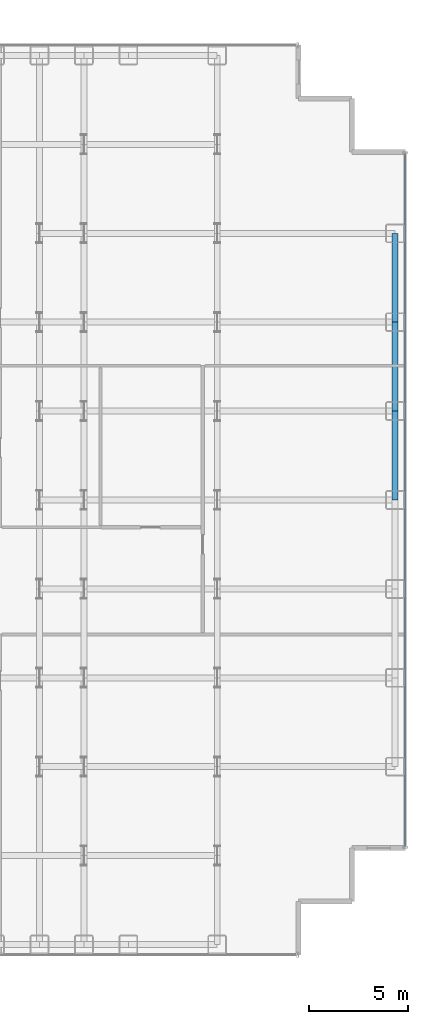
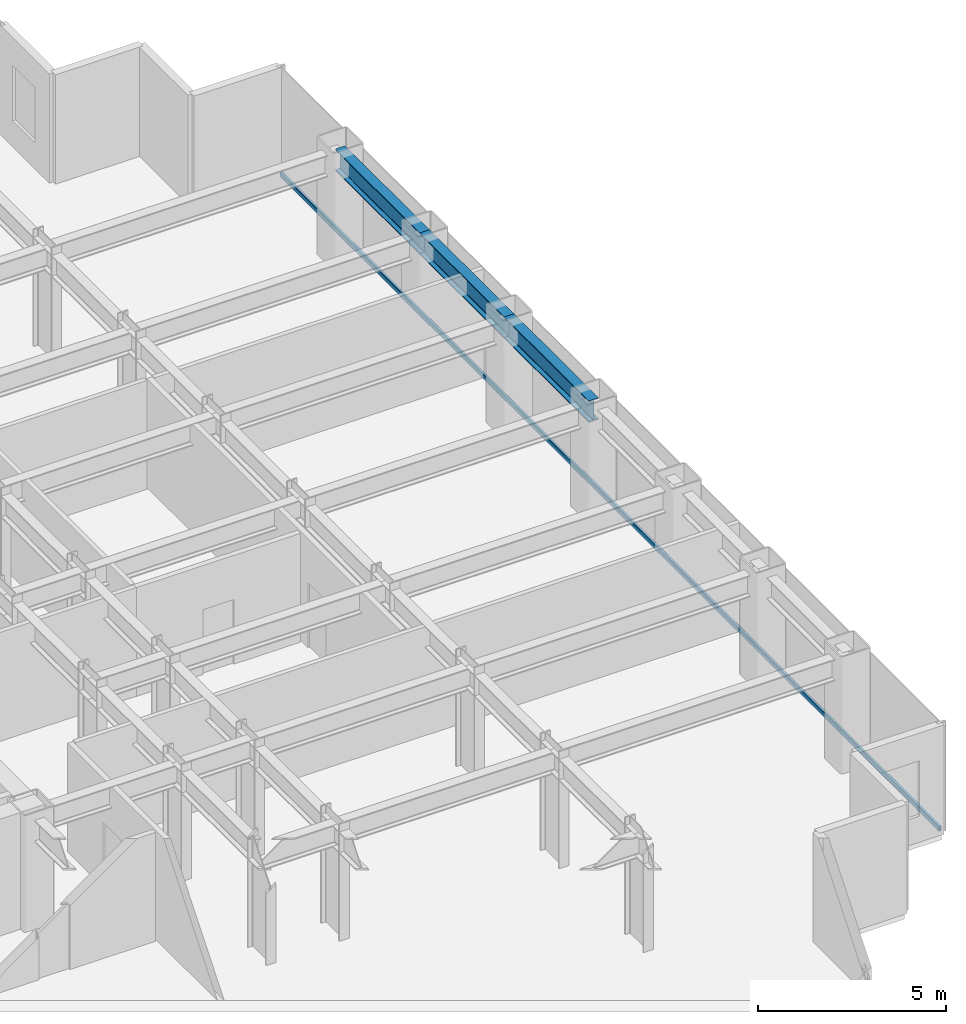
# One storey, part 17 of 25: 3 beams, 1 member, 1 element without a shape of its own.
"""IFC4 building model written with IfcOpenShell, lengths in metres."""

from ifc_helpers import new_model, si_unit, direction, frame, origin, origin_2d, place, context, subcontext, project, spatial, hollow_rectangle, i_section, extrude, source, transform, mapped, material, layer, layer_set, material_profile, profile_set, type_object, element, aggregate, save


model = new_model("IFC4")

# Units and contexts
model_context = context("Model", 3, precision=1e-05, world=origin(), true_north=direction((0.0, 1.0)))
body_context = subcontext(model_context, "Body", "Model", "MODEL_VIEW")
ifc_project = project(units=[si_unit("LENGTHUNIT", "METRE"), si_unit("AREAUNIT", "SQUARE_METRE"), si_unit("VOLUMEUNIT", "CUBIC_METRE"), si_unit("PLANEANGLEUNIT", "RADIAN"), si_unit("MASSUNIT", "GRAM", prefix="KILO")], contexts=[model_context])

# Site, building, storey
site_placement = place(None, origin())
site = spatial("IfcSite", under=ifc_project, at=site_placement, CompositionType="ELEMENT")
building_placement = place(site_placement, origin())
building = spatial("IfcBuilding", under=site, at=building_placement, Name="Nefas-Gora Pilgrimage Tower", CompositionType="ELEMENT")
storey_placement = place(building_placement, frame((0.0, 0.0, 98.39990234375)))
storey = spatial("IfcBuildingStorey", under=building, at=storey_placement, Name="L23", CompositionType="ELEMENT", Elevation=98.39990234375)

# Beams
ifc_material_1 = material(Name="Steel S355", Category="steel")
ifc_material_profile_1 = material_profile(ifc_material_1, i_section(OverallWidth=0.300048828125, OverallDepth=0.699951171875, WebThickness=0.01708984375, FlangeThickness=0.031982421875, FilletRadius=0.027099609375, at=origin_2d()), Name="HEB 700")
ifc_profile_set_1 = profile_set([ifc_material_profile_1], Name="Steel S355")
beam_type = type_object("IfcBeamType", Name="BM-SPN-HEB600", PredefinedType="SPANDREL", material=ifc_profile_set_1)
shared_shape_1 = source(origin(), body_context, "Body", "SweptSolid", [
    extrude(i_section(OverallWidth=0.300048828125, OverallDepth=0.699951171875, WebThickness=0.01708984375, FlangeThickness=0.031982421875, FilletRadius=0.027099609375, at=origin_2d()), origin(), (0.0, 0.0, 1.0), 4.5),
])
for number, where, z_axis, x_axis, name in (
    (1, (33.75, 0.0, 3.2001953125), (0.0, 1.0, 0.0), (-1.0, 0.0, 0.0), "L23 SP-01 beam"),
    (2, (33.75, 4.5, 3.2001953125), (0.0, 1.0, 0.0), (-1.0, 0.0, 0.0), "L23 SP-01 beam"),
    (3, (33.75, 9.0, 3.2001953125), (0.0, 1.0, 0.0), (-1.0, 0.0, 0.0), "L23 SP-01 beam"),
):
    element("IfcBeam", number, at=place(storey_placement, frame(where, z_axis=z_axis, x_axis=x_axis)), inside=storey, type_object=beam_type, Name=name, PredefinedType="SPANDREL", context=body_context, shape_type="MappedRepresentation", body=[
        mapped(shared_shape_1, transform((0.0, 0.0, 0.0), x_axis=(1.0, 0.0, 0.0), y_axis=(0.0, 1.0, 0.0), z_axis=(0.0, 0.0, 1.0), scale=1.0)),
    ])

# Curtain wall, member
ifc_material_2 = material(Name="Dark ceramic-fritted solar-control aluminium-glass curtain wall", Category="aluminium")
ifc_layer = layer(ifc_material_2, 0.219970703125)
ifc_layer_set = layer_set([ifc_layer], Name="Dark ceramic-fritted solar-control aluminium-glass curtain wall")
curtain_wall_type = type_object("IfcCurtainWallType", Name="CW-SYS-2", PredefinedType="NOTDEFINED", material=ifc_layer_set)
curtain_wall_placement = place(storey_placement, origin())
curtain_wall = element("IfcCurtainWall", 4, at=curtain_wall_placement, inside=storey, type_object=curtain_wall_type, Name="L23 Unitised Curtain Wall CW2", PredefinedType="NOTDEFINED")
ifc_material_3 = material(Name="Anodised architectural aluminium", Category="aluminium")
ifc_material_profile_2 = material_profile(ifc_material_3, hollow_rectangle(XDim=0.080078125, YDim=0.159912109375, WallThickness=0.00439453125, InnerFilletRadius=0.00439453125, OuterFilletRadius=0.009033203125, at=origin_2d()), Name="ALU TRANSOM 80x160")
ifc_profile_set_2 = profile_set([ifc_material_profile_2], Name="Anodised architectural aluminium")
member_type = type_object("IfcMemberType", Name="CWM-TRN-2", PredefinedType="USERDEFINED", material=ifc_profile_set_2)
shared_shape_2 = source(origin(), body_context, "Body", "SweptSolid", [
    extrude(hollow_rectangle(XDim=0.080078125, YDim=0.159912109375, WallThickness=0.00439453125, InnerFilletRadius=0.00439453125, OuterFilletRadius=0.009033203125, at=origin_2d()), origin(), (0.0, 0.0, 1.0), 35.06005859375),
])
member_placement = place(storey_placement, frame((34.27001953125, -17.530029296875, 0.050048828125), z_axis=(0.0, 1.0, 0.0), x_axis=(-1.0, 0.0, 0.0)))
member = element("IfcMember", 5, at=member_placement, type_object=member_type, Name="CW2 Spandrel Transom", ObjectType="TRANSOM", PredefinedType="USERDEFINED", context=body_context, shape_type="MappedRepresentation", body=[
    mapped(shared_shape_2, transform((0.0, 0.0, 0.0), x_axis=(1.0, 0.0, 0.0), y_axis=(0.0, 1.0, 0.0), z_axis=(0.0, 0.0, 1.0), scale=1.0)),
])
aggregate(curtain_wall, [member])

save(model, "model.ifc")
